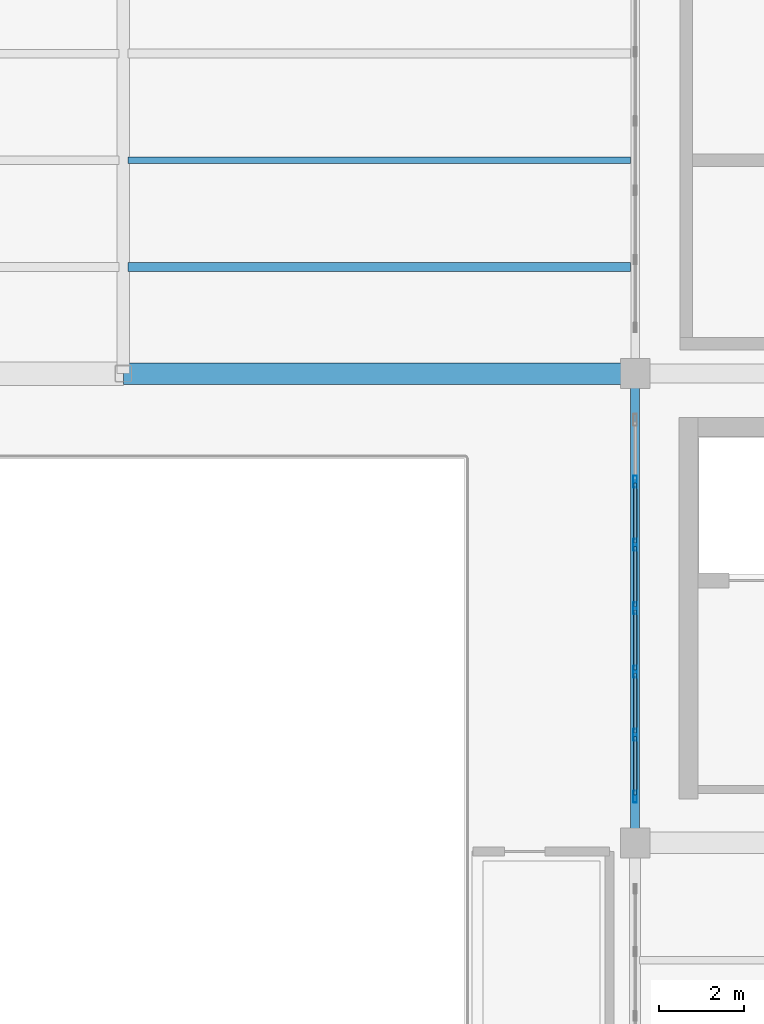
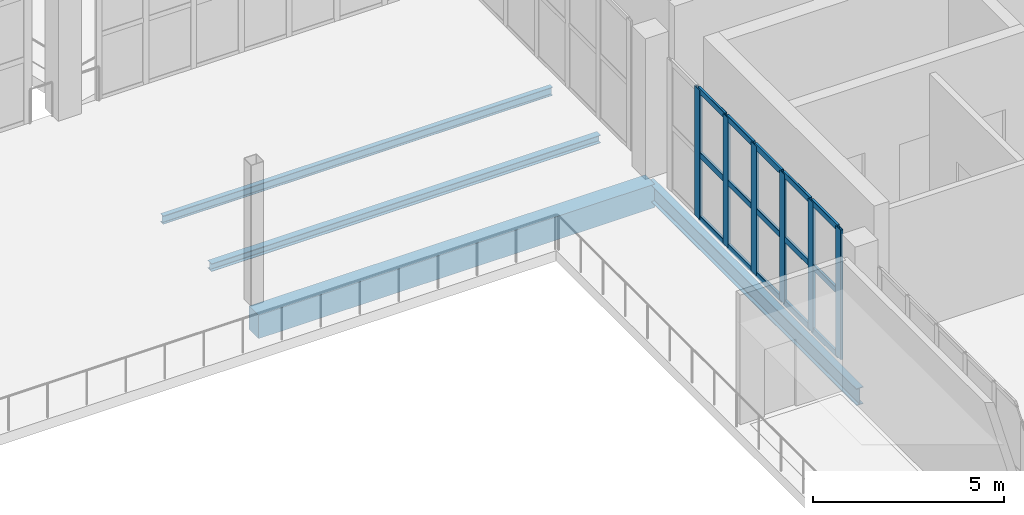
# One storey, part 23 of 108: 21 members, 4 beams, 1 element without a shape of its own.
"""IFC4 building model written with IfcOpenShell, lengths in metres."""

import ifcopenshell
import ifcopenshell.guid

model = None  # the IFC model being written
_history = None  # IfcOwnerHistory: only IFC2X3 demands one
_inside = {}  # id of a spatial element -> (the spatial element, [elements in it])
_under = {}  # id of a project, library or spatial element -> (it, [spatial elements below it])
_declared = {}  # id of a project -> (the project, [libraries it declares])
_typed = {}  # id of a type object -> (the type object, [elements of that type])
_made_of = {}  # id of a material, layer set ... -> (it, [elements and type objects made of it])


def new_model(schema):
    """Start an empty IFC model of exactly this schema.

    Asked for "IFC4X3", IfcOpenShell would pick the latest addendum, in which some entities
    have other attributes; the version numbers below select the first issue.
    IFC2X3 requires an IfcOwnerHistory on every rooted entity: one is made here for all.
    """
    global model, _history
    if schema == "IFC4X3":
        model = ifcopenshell.file(schema_version=(4, 3, 0, 0))
    else:
        model = ifcopenshell.file(schema=schema)
    _inside.clear()
    _under.clear()
    _declared.clear()
    _typed.clear()
    _made_of.clear()
    _history = None
    if model.schema == "IFC2X3":
        org = make("IfcOrganization", Name="unknown")
        user = make(
            "IfcPersonAndOrganization",
            ThePerson=make("IfcPerson", FamilyName="unknown"),
            TheOrganization=org,
        )
        app = make(
            "IfcApplication",
            ApplicationDeveloper=org,
            Version="unknown",
            ApplicationFullName="unknown",
            ApplicationIdentifier="unknown",
        )
        _history = make(
            "IfcOwnerHistory",
            OwningUser=user,
            OwningApplication=app,
            ChangeAction="ADDED",
            CreationDate=0,
        )
    return model


def make(cls, **values):
    """One entity of the class cls with the attributes given. An attribute that is None is left unset."""
    return model.create_entity(
        cls, **{name: value for name, value in values.items() if value is not None}
    )


def rooted(cls, **values):
    """An entity with a GlobalId (a new one), such as an element, a storey or a relation."""
    return make(cls, GlobalId=ifcopenshell.guid.new(), OwnerHistory=_history, **values)


def si_unit(unit_type, name, prefix=None):
    """IfcSIUnit, for example si_unit("LENGTHUNIT", "METRE", prefix="MILLI")."""
    return make("IfcSIUnit", UnitType=unit_type, Prefix=prefix, Name=name)


def assignment(units):
    """IfcUnitAssignment: the units of a project."""
    return None if units is None else make("IfcUnitAssignment", Units=units)


def point(xyz):
    """IfcCartesianPoint."""
    return None if xyz is None else make("IfcCartesianPoint", Coordinates=xyz)


def direction(xyz):
    """IfcDirection."""
    return None if xyz is None else make("IfcDirection", DirectionRatios=xyz)


def frame(location, z_axis=None, x_axis=None):
    """IfcAxis2Placement3D, a coordinate frame: its origin and axes. An axis left out is left unset."""
    return make(
        "IfcAxis2Placement3D",
        Location=point(location),
        Axis=direction(z_axis),
        RefDirection=direction(x_axis),
    )


def frame_2d(location, x_axis=None):
    """IfcAxis2Placement2D, a coordinate frame in the plane: its origin and x axis."""
    return make(
        "IfcAxis2Placement2D", Location=point(location), RefDirection=direction(x_axis)
    )


def origin():
    """The frame at (0, 0, 0) with its axes left unset."""
    return frame((0.0, 0.0, 0.0))


def origin_2d():
    """The frame at (0, 0) in the plane with its x axis left unset."""
    return frame_2d((0.0, 0.0))


def place(relative_to, where):
    """IfcLocalPlacement: puts the frame where relative to a parent placement (None: the world)."""
    return make(
        "IfcLocalPlacement", PlacementRelTo=relative_to, RelativePlacement=where
    )


def context(
    kind, dimensions, precision=None, world=None, true_north=None, identifier=None
):
    """IfcGeometricRepresentationContext, for example the 3D "Model" context."""
    return make(
        "IfcGeometricRepresentationContext",
        ContextIdentifier=identifier,
        ContextType=kind,
        CoordinateSpaceDimension=dimensions,
        Precision=precision,
        WorldCoordinateSystem=world,
        TrueNorth=true_north,
    )


def subcontext(parent, identifier, kind, view, scale=None):
    """IfcGeometricRepresentationSubContext, for example "Body" below "Model"."""
    return make(
        "IfcGeometricRepresentationSubContext",
        ContextIdentifier=identifier,
        ContextType=kind,
        ParentContext=parent,
        TargetScale=scale,
        TargetView=view,
    )


def project(units=None, contexts=None):
    """IfcProject with its units and contexts."""
    return rooted(
        "IfcProject",
        Name="project",
        RepresentationContexts=contexts,
        UnitsInContext=assignment(units),
    )


def spatial(cls, under=None, at=None, **own):
    """A site, building, storey or space (cls), placed at a placement, below another one or the project."""
    s = rooted(cls, ObjectPlacement=at, **own)
    if under is not None:
        _under.setdefault(under.id(), (under, []))[1].append(s)
    return s


def profile(cls, at=None, kind="AREA", **sizes):
    """A parametric profile (cls). Its sizes go by their IFC names, for example OverallWidth=200.0."""
    return make(cls, ProfileType=kind, Position=at, **sizes)


def rectangle(**sizes):
    """IfcRectangleProfileDef."""
    return profile("IfcRectangleProfileDef", **sizes)


def hollow_rectangle(**sizes):
    """IfcRectangleHollowProfileDef."""
    return profile("IfcRectangleHollowProfileDef", **sizes)


def i_section(**sizes):
    """IfcIShapeProfileDef."""
    return profile("IfcIShapeProfileDef", **sizes)


def extrude(swept, where, along, depth):
    """IfcExtrudedAreaSolid: the profile swept, set in the frame where, extruded along a direction by depth."""
    return make(
        "IfcExtrudedAreaSolid",
        SweptArea=swept,
        Position=where,
        ExtrudedDirection=direction(along),
        Depth=depth,
    )


def shape(context_of_items, identifier, shape_type, items):
    """IfcShapeRepresentation: the items that make up one representation, for example the "Body"."""
    return make(
        "IfcShapeRepresentation",
        ContextOfItems=context_of_items,
        RepresentationIdentifier=identifier,
        RepresentationType=shape_type,
        Items=items,
    )


def material(Name=None, Category=None):
    """IfcMaterial."""
    return make("IfcMaterial", Name=Name, Category=Category)


def layer(
    of_material, thickness, ventilated=None, Name=None, Category=None, Priority=None
):
    """IfcMaterialLayer: one layer of a wall or slab, of a material (None: an air gap)."""
    return make(
        "IfcMaterialLayer",
        Material=of_material,
        LayerThickness=thickness,
        IsVentilated=ventilated,
        Name=Name,
        Category=Category,
        Priority=Priority,
    )


def layer_set(layers, Name=None):
    """IfcMaterialLayerSet."""
    return make("IfcMaterialLayerSet", MaterialLayers=layers, LayerSetName=Name)


def material_profile(
    of_material, cross_section, Name=None, Category=None, Priority=None
):
    """IfcMaterialProfile: a cross section and its material."""
    return make(
        "IfcMaterialProfile",
        Name=Name,
        Material=of_material,
        Profile=cross_section,
        Priority=Priority,
        Category=Category,
    )


def profile_set(profiles, Name=None, composite=None):
    """IfcMaterialProfileSet."""
    return make(
        "IfcMaterialProfileSet",
        Name=Name,
        MaterialProfiles=profiles,
        CompositeProfile=composite,
    )


def made_of(thing, what):
    """Note that an element or type object is made of a material, layer set ...; save() writes the relation."""
    if what is not None:
        _made_of.setdefault(what.id(), (what, []))[1].append(thing)
    return thing


def type_object(cls, material=None, **own):
    """A type object (cls), such as IfcWallType, which elements share."""
    return made_of(rooted(cls, **own), material)


def element(
    cls,
    number,
    at=None,
    inside=None,
    cuts=None,
    type_object=None,
    material=None,
    context=None,
    identifier="Body",
    shape_type=None,
    held_by="IfcProductDefinitionShape",
    body=None,
    shapes=None,
    **own,
):
    """One element of the class cls, such as IfcWall. Its Tag is "e" and its number.

    at: its placement. inside: the storey or other place that contains it. cuts: it is an
    opening in that element (IfcRelVoidsElement). A single representation is given by context,
    identifier, shape_type and body (its items); several are given by shapes. held_by: the class
    of the entity that holds the representations. save() writes the other relations.
    """
    e = rooted(cls, Tag="e%d" % number, ObjectPlacement=at, **own)
    if body is not None:
        shapes = [shape(context, identifier, shape_type, body)]
    if shapes is not None:
        e.Representation = make(held_by, Representations=shapes)
    if inside is not None:
        _inside.setdefault(inside.id(), (inside, []))[1].append(e)
    if cuts is not None:
        rooted(
            "IfcRelVoidsElement", RelatingBuildingElement=cuts, RelatedOpeningElement=e
        )
    if type_object is not None:
        _typed.setdefault(type_object.id(), (type_object, []))[1].append(e)
    return made_of(e, material)


def aggregate(whole, parts):
    """IfcRelAggregates: a whole, such as a stair, and the parts it consists of."""
    return rooted("IfcRelAggregates", RelatingObject=whole, RelatedObjects=parts)


def save(model, path):
    """Write the relations noted so far, then the file.

    IfcRelAggregates (storeys below a building ...), IfcRelContainedInSpatialStructure (elements
    in a storey), IfcRelDefinesByType, IfcRelAssociatesMaterial and IfcRelDeclares: one each for
    every whole, place, type object, material and project.
    """
    for whole, parts in _under.values():
        aggregate(whole, parts)
    for where, things in _inside.values():
        rooted(
            "IfcRelContainedInSpatialStructure",
            RelatedElements=things,
            RelatingStructure=where,
        )
    for kind, things in _typed.values():
        rooted("IfcRelDefinesByType", RelatedObjects=things, RelatingType=kind)
    for what, things in _made_of.values():
        rooted("IfcRelAssociatesMaterial", RelatedObjects=things, RelatingMaterial=what)
    for by, libraries in _declared.values():
        rooted("IfcRelDeclares", RelatingContext=by, RelatedDefinitions=libraries)
    model.write(path)


model = new_model("IFC4")

# Units and contexts
model_context = context("Model", 3, precision=1e-05, world=origin(), true_north=direction((0.0, 1.0)))
body_context = subcontext(model_context, "Body", "Model", "MODEL_VIEW")
ifc_project = project(units=[si_unit("LENGTHUNIT", "METRE"), si_unit("AREAUNIT", "SQUARE_METRE"), si_unit("VOLUMEUNIT", "CUBIC_METRE"), si_unit("PLANEANGLEUNIT", "RADIAN"), si_unit("MASSUNIT", "GRAM", prefix="KILO")], contexts=[model_context])

# Site, building, storey
site_placement = place(None, origin())
site = spatial("IfcSite", under=ifc_project, at=site_placement, CompositionType="ELEMENT")
building_placement = place(site_placement, origin())
building = spatial("IfcBuilding", under=site, at=building_placement, Name="Brinegate Civic Arena", CompositionType="ELEMENT")
storey_placement = place(building_placement, frame((0.0, 0.0, 10.199951171875)))
storey = spatial("IfcBuildingStorey", under=building, at=storey_placement, Name="L02", CompositionType="ELEMENT", Elevation=10.199951171875)

# Curtain wall, members
ifc_material_1 = material(Name="Marine grade aluminium", Category="aluminium")
ifc_layer = layer(ifc_material_1, 0.199951171875, Name="Marine grade aluminium")
ifc_layer_set = layer_set([ifc_layer], Name="Marine grade aluminium")
curtain_wall_type = type_object("IfcCurtainWallType", Name="CW-BOWL-GLAZED-01", PredefinedType="USERDEFINED", material=ifc_layer_set)
curtain_wall_placement = place(storey_placement, origin())
curtain_wall = element("IfcCurtainWall", 1, at=curtain_wall_placement, inside=storey, type_object=curtain_wall_type, Name="Curtain Wall CWA-079", ObjectType="GLAZED CURTAIN WALL", PredefinedType="USERDEFINED")
ifc_material_profile_1 = material_profile(ifc_material_1, hollow_rectangle(XDim=0.080078125, YDim=0.280029296875, WallThickness=0.007080078125, InnerFilletRadius=0.0048828125, OuterFilletRadius=0.010009765625, at=origin_2d()), Name="MUL80X280")
ifc_profile_set_1 = profile_set([ifc_material_profile_1], Name="Marine grade aluminium")
member_type_1 = type_object("IfcMemberType", Name="CW-MULLION-80X280", PredefinedType="MULLION", material=ifc_profile_set_1)
member_1_placement = place(storey_placement, frame((48.0, 32.0849609375, 0.0), z_axis=(0.0, 0.0, 1.0), x_axis=(-1.0, 0.0, 0.0)))
member_1 = element("IfcMember", 2, at=member_1_placement, type_object=member_type_1, Name="CWA-079 mullion 1", PredefinedType="MULLION", context=body_context, shape_type="SweptSolid", body=[
    extrude(hollow_rectangle(XDim=0.080078125, YDim=0.280029296875, WallThickness=0.007080078125, InnerFilletRadius=0.0048828125, OuterFilletRadius=0.010009765625, at=origin_2d()), origin(), (0.0, 0.0, 1.0), 4.150146484375),
])
member_2_placement = place(storey_placement, frame((48.0, 33.530029296875, 0.0), z_axis=(0.0, 0.0, 1.0), x_axis=(-1.0, 0.0, 0.0)))
member_2 = element("IfcMember", 3, at=member_2_placement, type_object=member_type_1, Name="CWA-079 mullion 2", PredefinedType="MULLION", context=body_context, shape_type="SweptSolid", body=[
    extrude(hollow_rectangle(XDim=0.080078125, YDim=0.280029296875, WallThickness=0.007080078125, InnerFilletRadius=0.0048828125, OuterFilletRadius=0.010009765625, at=origin_2d()), origin(), (0.0, 0.0, 1.0), 4.150146484375),
])
member_3_placement = place(storey_placement, frame((48.0, 35.014892578125, 0.0), z_axis=(0.0, 0.0, 1.0), x_axis=(-1.0, 0.0, 0.0)))
member_3 = element("IfcMember", 4, at=member_3_placement, type_object=member_type_1, Name="CWA-079 mullion 3", PredefinedType="MULLION", context=body_context, shape_type="SweptSolid", body=[
    extrude(hollow_rectangle(XDim=0.080078125, YDim=0.280029296875, WallThickness=0.007080078125, InnerFilletRadius=0.0048828125, OuterFilletRadius=0.010009765625, at=origin_2d()), origin(), (0.0, 0.0, 1.0), 4.150146484375),
])
member_4_placement = place(storey_placement, frame((48.0, 36.5, 0.0), z_axis=(0.0, 0.0, 1.0), x_axis=(-1.0, 0.0, 0.0)))
member_4 = element("IfcMember", 5, at=member_4_placement, type_object=member_type_1, Name="CWA-079 mullion 4", PredefinedType="MULLION", context=body_context, shape_type="SweptSolid", body=[
    extrude(hollow_rectangle(XDim=0.080078125, YDim=0.280029296875, WallThickness=0.007080078125, InnerFilletRadius=0.0048828125, OuterFilletRadius=0.010009765625, at=origin_2d()), origin(), (0.0, 0.0, 1.0), 4.150146484375),
])
member_5_placement = place(storey_placement, frame((48.0, 37.985107421875, 0.0), z_axis=(0.0, 0.0, 1.0), x_axis=(-1.0, 0.0, 0.0)))
member_5 = element("IfcMember", 6, at=member_5_placement, type_object=member_type_1, Name="CWA-079 mullion 5", PredefinedType="MULLION", context=body_context, shape_type="SweptSolid", body=[
    extrude(hollow_rectangle(XDim=0.080078125, YDim=0.280029296875, WallThickness=0.007080078125, InnerFilletRadius=0.0048828125, OuterFilletRadius=0.010009765625, at=origin_2d()), origin(), (0.0, 0.0, 1.0), 4.150146484375),
])
member_6_placement = place(storey_placement, frame((48.0, 39.469970703125, 0.0), z_axis=(0.0, 0.0, 1.0), x_axis=(-1.0, 0.0, 0.0)))
member_6 = element("IfcMember", 7, at=member_6_placement, type_object=member_type_1, Name="CWA-079 mullion 6", PredefinedType="MULLION", context=body_context, shape_type="SweptSolid", body=[
    extrude(hollow_rectangle(XDim=0.080078125, YDim=0.280029296875, WallThickness=0.007080078125, InnerFilletRadius=0.0048828125, OuterFilletRadius=0.010009765625, at=origin_2d()), origin(), (0.0, 0.0, 1.0), 4.150146484375),
])
ifc_material_profile_2 = material_profile(ifc_material_1, hollow_rectangle(XDim=0.074951171875, YDim=0.18994140625, WallThickness=0.006103515625, InnerFilletRadius=0.00390625, OuterFilletRadius=0.008056640625, at=origin_2d()), Name="TRN75X190")
ifc_profile_set_2 = profile_set([ifc_material_profile_2], Name="Marine grade aluminium")
member_type_2 = type_object("IfcMemberType", Name="CW-TRANSOM-75X190", PredefinedType="USERDEFINED", material=ifc_profile_set_2)
member_7_placement = place(storey_placement, frame((48.0, 32.125, 0.03759765625), z_axis=(0.0, 1.0, 0.0), x_axis=(-1.0, 0.0, 0.0)))
member_7 = element("IfcMember", 8, at=member_7_placement, type_object=member_type_2, Name="CWA-079 transom 1.1", ObjectType="TRANSOM", PredefinedType="USERDEFINED", context=body_context, shape_type="SweptSolid", body=[
    extrude(hollow_rectangle(XDim=0.074951171875, YDim=0.18994140625, WallThickness=0.006103515625, InnerFilletRadius=0.00390625, OuterFilletRadius=0.008056640625, at=origin_2d()), origin(), (0.0, 0.0, 1.0), 1.364990234375),
])
member_8_placement = place(storey_placement, frame((48.0, 32.125, 2.074951171875), z_axis=(0.0, 1.0, 0.0), x_axis=(-1.0, 0.0, 0.0)))
member_8 = element("IfcMember", 9, at=member_8_placement, type_object=member_type_2, Name="CWA-079 transom 1.2", ObjectType="TRANSOM", PredefinedType="USERDEFINED", context=body_context, shape_type="SweptSolid", body=[
    extrude(hollow_rectangle(XDim=0.074951171875, YDim=0.18994140625, WallThickness=0.006103515625, InnerFilletRadius=0.00390625, OuterFilletRadius=0.008056640625, at=origin_2d()), origin(), (0.0, 0.0, 1.0), 1.364990234375),
])
member_9_placement = place(storey_placement, frame((48.0, 32.125, 4.112548828125), z_axis=(0.0, 1.0, 0.0), x_axis=(-1.0, 0.0, 0.0)))
member_9 = element("IfcMember", 10, at=member_9_placement, type_object=member_type_2, Name="CWA-079 transom 1.3", ObjectType="TRANSOM", PredefinedType="USERDEFINED", context=body_context, shape_type="SweptSolid", body=[
    extrude(hollow_rectangle(XDim=0.074951171875, YDim=0.18994140625, WallThickness=0.006103515625, InnerFilletRadius=0.00390625, OuterFilletRadius=0.008056640625, at=origin_2d()), origin(), (0.0, 0.0, 1.0), 1.364990234375),
])
member_10_placement = place(storey_placement, frame((48.0, 33.570068359375, 0.03759765625), z_axis=(0.0, 1.0, 0.0), x_axis=(-1.0, 0.0, 0.0)))
member_10 = element("IfcMember", 11, at=member_10_placement, type_object=member_type_2, Name="CWA-079 transom 2.1", ObjectType="TRANSOM", PredefinedType="USERDEFINED", context=body_context, shape_type="SweptSolid", body=[
    extrude(hollow_rectangle(XDim=0.074951171875, YDim=0.18994140625, WallThickness=0.006103515625, InnerFilletRadius=0.00390625, OuterFilletRadius=0.008056640625, at=origin_2d()), origin(), (0.0, 0.0, 1.0), 1.405029296875),
])
member_11_placement = place(storey_placement, frame((48.0, 33.570068359375, 2.074951171875), z_axis=(0.0, 1.0, 0.0), x_axis=(-1.0, 0.0, 0.0)))
member_11 = element("IfcMember", 12, at=member_11_placement, type_object=member_type_2, Name="CWA-079 transom 2.2", ObjectType="TRANSOM", PredefinedType="USERDEFINED", context=body_context, shape_type="SweptSolid", body=[
    extrude(hollow_rectangle(XDim=0.074951171875, YDim=0.18994140625, WallThickness=0.006103515625, InnerFilletRadius=0.00390625, OuterFilletRadius=0.008056640625, at=origin_2d()), origin(), (0.0, 0.0, 1.0), 1.405029296875),
])
member_12_placement = place(storey_placement, frame((48.0, 33.570068359375, 4.112548828125), z_axis=(0.0, 1.0, 0.0), x_axis=(-1.0, 0.0, 0.0)))
member_12 = element("IfcMember", 13, at=member_12_placement, type_object=member_type_2, Name="CWA-079 transom 2.3", ObjectType="TRANSOM", PredefinedType="USERDEFINED", context=body_context, shape_type="SweptSolid", body=[
    extrude(hollow_rectangle(XDim=0.074951171875, YDim=0.18994140625, WallThickness=0.006103515625, InnerFilletRadius=0.00390625, OuterFilletRadius=0.008056640625, at=origin_2d()), origin(), (0.0, 0.0, 1.0), 1.405029296875),
])
member_13_placement = place(storey_placement, frame((48.0, 35.054931640625, 0.03759765625), z_axis=(0.0, 1.0, 0.0), x_axis=(-1.0, 0.0, 0.0)))
member_13 = element("IfcMember", 14, at=member_13_placement, type_object=member_type_2, Name="CWA-079 transom 3.1", ObjectType="TRANSOM", PredefinedType="USERDEFINED", context=body_context, shape_type="SweptSolid", body=[
    extrude(hollow_rectangle(XDim=0.074951171875, YDim=0.18994140625, WallThickness=0.006103515625, InnerFilletRadius=0.00390625, OuterFilletRadius=0.008056640625, at=origin_2d()), origin(), (0.0, 0.0, 1.0), 1.405029296875),
])
member_14_placement = place(storey_placement, frame((48.0, 35.054931640625, 2.074951171875), z_axis=(0.0, 1.0, 0.0), x_axis=(-1.0, 0.0, 0.0)))
member_14 = element("IfcMember", 15, at=member_14_placement, type_object=member_type_2, Name="CWA-079 transom 3.2", ObjectType="TRANSOM", PredefinedType="USERDEFINED", context=body_context, shape_type="SweptSolid", body=[
    extrude(hollow_rectangle(XDim=0.074951171875, YDim=0.18994140625, WallThickness=0.006103515625, InnerFilletRadius=0.00390625, OuterFilletRadius=0.008056640625, at=origin_2d()), origin(), (0.0, 0.0, 1.0), 1.405029296875),
])
member_15_placement = place(storey_placement, frame((48.0, 35.054931640625, 4.112548828125), z_axis=(0.0, 1.0, 0.0), x_axis=(-1.0, 0.0, 0.0)))
member_15 = element("IfcMember", 16, at=member_15_placement, type_object=member_type_2, Name="CWA-079 transom 3.3", ObjectType="TRANSOM", PredefinedType="USERDEFINED", context=body_context, shape_type="SweptSolid", body=[
    extrude(hollow_rectangle(XDim=0.074951171875, YDim=0.18994140625, WallThickness=0.006103515625, InnerFilletRadius=0.00390625, OuterFilletRadius=0.008056640625, at=origin_2d()), origin(), (0.0, 0.0, 1.0), 1.405029296875),
])
member_16_placement = place(storey_placement, frame((48.0, 36.5400390625, 0.03759765625), z_axis=(0.0, 1.0, 0.0), x_axis=(-1.0, 0.0, 0.0)))
member_16 = element("IfcMember", 17, at=member_16_placement, type_object=member_type_2, Name="CWA-079 transom 4.1", ObjectType="TRANSOM", PredefinedType="USERDEFINED", context=body_context, shape_type="SweptSolid", body=[
    extrude(hollow_rectangle(XDim=0.074951171875, YDim=0.18994140625, WallThickness=0.006103515625, InnerFilletRadius=0.00390625, OuterFilletRadius=0.008056640625, at=origin_2d()), origin(), (0.0, 0.0, 1.0), 1.405029296875),
])
member_17_placement = place(storey_placement, frame((48.0, 36.5400390625, 2.074951171875), z_axis=(0.0, 1.0, 0.0), x_axis=(-1.0, 0.0, 0.0)))
member_17 = element("IfcMember", 18, at=member_17_placement, type_object=member_type_2, Name="CWA-079 transom 4.2", ObjectType="TRANSOM", PredefinedType="USERDEFINED", context=body_context, shape_type="SweptSolid", body=[
    extrude(hollow_rectangle(XDim=0.074951171875, YDim=0.18994140625, WallThickness=0.006103515625, InnerFilletRadius=0.00390625, OuterFilletRadius=0.008056640625, at=origin_2d()), origin(), (0.0, 0.0, 1.0), 1.405029296875),
])
member_18_placement = place(storey_placement, frame((48.0, 36.5400390625, 4.112548828125), z_axis=(0.0, 1.0, 0.0), x_axis=(-1.0, 0.0, 0.0)))
member_18 = element("IfcMember", 19, at=member_18_placement, type_object=member_type_2, Name="CWA-079 transom 4.3", ObjectType="TRANSOM", PredefinedType="USERDEFINED", context=body_context, shape_type="SweptSolid", body=[
    extrude(hollow_rectangle(XDim=0.074951171875, YDim=0.18994140625, WallThickness=0.006103515625, InnerFilletRadius=0.00390625, OuterFilletRadius=0.008056640625, at=origin_2d()), origin(), (0.0, 0.0, 1.0), 1.405029296875),
])
member_19_placement = place(storey_placement, frame((48.0, 38.02490234375, 0.03759765625), z_axis=(0.0, 1.0, 0.0), x_axis=(-1.0, 0.0, 0.0)))
member_19 = element("IfcMember", 20, at=member_19_placement, type_object=member_type_2, Name="CWA-079 transom 5.1", ObjectType="TRANSOM", PredefinedType="USERDEFINED", context=body_context, shape_type="SweptSolid", body=[
    extrude(hollow_rectangle(XDim=0.074951171875, YDim=0.18994140625, WallThickness=0.006103515625, InnerFilletRadius=0.00390625, OuterFilletRadius=0.008056640625, at=origin_2d()), origin(), (0.0, 0.0, 1.0), 1.405029296875),
])
member_20_placement = place(storey_placement, frame((48.0, 38.02490234375, 2.074951171875), z_axis=(0.0, 1.0, 0.0), x_axis=(-1.0, 0.0, 0.0)))
member_20 = element("IfcMember", 21, at=member_20_placement, type_object=member_type_2, Name="CWA-079 transom 5.2", ObjectType="TRANSOM", PredefinedType="USERDEFINED", context=body_context, shape_type="SweptSolid", body=[
    extrude(hollow_rectangle(XDim=0.074951171875, YDim=0.18994140625, WallThickness=0.006103515625, InnerFilletRadius=0.00390625, OuterFilletRadius=0.008056640625, at=origin_2d()), origin(), (0.0, 0.0, 1.0), 1.405029296875),
])
member_21_placement = place(storey_placement, frame((48.0, 38.02490234375, 4.112548828125), z_axis=(0.0, 1.0, 0.0), x_axis=(-1.0, 0.0, 0.0)))
member_21 = element("IfcMember", 22, at=member_21_placement, type_object=member_type_2, Name="CWA-079 transom 5.3", ObjectType="TRANSOM", PredefinedType="USERDEFINED", context=body_context, shape_type="SweptSolid", body=[
    extrude(hollow_rectangle(XDim=0.074951171875, YDim=0.18994140625, WallThickness=0.006103515625, InnerFilletRadius=0.00390625, OuterFilletRadius=0.008056640625, at=origin_2d()), origin(), (0.0, 0.0, 1.0), 1.405029296875),
])
aggregate(curtain_wall, [member_1, member_2, member_3, member_4, member_5, member_6, member_7, member_8, member_9, member_10, member_11, member_12, member_13, member_14, member_15, member_16, member_17, member_18, member_19, member_20, member_21])

# Beams
ifc_material_2 = material(Name="Steel S355", Category="steel")
ifc_material_profile_3 = material_profile(ifc_material_2, i_section(OverallWidth=0.14794921875, OverallDepth=0.26611328125, WebThickness=0.008056640625, FlangeThickness=0.012939453125, FilletRadius=0.011962890625, at=origin_2d()), Name="W250X45")
ifc_profile_set_3 = profile_set([ifc_material_profile_3], Name="Steel S355")
beam_type_1 = type_object("IfcBeamType", Name="JOIST-W250X45", PredefinedType="JOIST", material=ifc_profile_set_3)
beam_1_placement = place(storey_placement, frame((36.10595703125, 47.0, -0.462890625), z_axis=(1.0, 0.0, 0.0), x_axis=(0.0, 1.0, 0.0)))
element("IfcBeam", 23, at=beam_1_placement, inside=storey, type_object=beam_type_1, Name="Secondary Joist BM-L02-JX-03-04-2", PredefinedType="JOIST", context=body_context, shape_type="SweptSolid", body=[
    extrude(i_section(OverallWidth=0.14794921875, OverallDepth=0.26611328125, WebThickness=0.008056640625, FlangeThickness=0.012939453125, FilletRadius=0.011962890625, at=origin_2d()), origin(), (0.0, 0.0, 1.0), 11.7880859375),
])
ifc_material_profile_4 = material_profile(ifc_material_2, i_section(OverallWidth=0.202880859375, OverallDepth=0.251953125, WebThickness=0.008056640625, FlangeThickness=0.013916015625, FilletRadius=0.011962890625, at=origin_2d()), Name="W250X58")
ifc_profile_set_4 = profile_set([ifc_material_profile_4], Name="Steel S355")
beam_type_2 = type_object("IfcBeamType", Name="JOIST-W250X58", PredefinedType="JOIST", material=ifc_profile_set_4)
beam_2_placement = place(storey_placement, frame((36.10595703125, 44.5, -0.4560546875), z_axis=(1.0, 0.0, 0.0), x_axis=(0.0, 1.0, 0.0)))
element("IfcBeam", 24, at=beam_2_placement, inside=storey, type_object=beam_type_2, Name="Secondary Joist BM-L02-JX-03-04-1", PredefinedType="JOIST", context=body_context, shape_type="SweptSolid", body=[
    extrude(i_section(OverallWidth=0.202880859375, OverallDepth=0.251953125, WebThickness=0.008056640625, FlangeThickness=0.013916015625, FilletRadius=0.011962890625, at=origin_2d()), origin(), (0.0, 0.0, 1.0), 11.7880859375),
])
ifc_material_3 = material(Name="Concrete C50/60", Category="concrete")
ifc_material_profile_5 = material_profile(ifc_material_3, rectangle(XDim=0.5, YDim=0.75, at=origin_2d()), Name="RCB500X750")
ifc_profile_set_5 = profile_set([ifc_material_profile_5], Name="Concrete C50/60")
beam_type_3 = type_object("IfcBeamType", Name="RCG-500X750", PredefinedType="BEAM", material=ifc_profile_set_5)
beam_3_placement = place(storey_placement, frame((36.0, 42.0, -0.704833984375), z_axis=(1.0, 0.0, 0.0), x_axis=(0.0, 1.0, 0.0)))
element("IfcBeam", 25, at=beam_3_placement, inside=storey, type_object=beam_type_3, Name="Floor Girder BM-L02-GX-03-04", PredefinedType="BEAM", context=body_context, shape_type="SweptSolid", body=[
    extrude(rectangle(XDim=0.5, YDim=0.75, at=origin_2d()), origin(), (0.0, 0.0, 1.0), 12.0),
])
ifc_material_profile_6 = material_profile(ifc_material_2, i_section(OverallWidth=0.2119140625, OverallDepth=0.5439453125, WebThickness=0.012939453125, FlangeThickness=0.02099609375, FilletRadius=0.01611328125, at=origin_2d()), Name="W530X123")
ifc_profile_set_6 = profile_set([ifc_material_profile_6], Name="Steel S355")
beam_type_4 = type_object("IfcBeamType", Name="SPANDREL-W530X123", PredefinedType="SPANDREL", material=ifc_profile_set_6)
beam_4_placement = place(storey_placement, frame((48.0, 31.0, -0.60205078125), z_axis=(0.0, 1.0, 0.0), x_axis=(-1.0, 0.0, 0.0)))
element("IfcBeam", 26, at=beam_4_placement, inside=storey, type_object=beam_type_4, Name="Floor Girder BM-L02-GY-04-03", PredefinedType="SPANDREL", context=body_context, shape_type="SweptSolid", body=[
    extrude(i_section(OverallWidth=0.2119140625, OverallDepth=0.5439453125, WebThickness=0.012939453125, FlangeThickness=0.02099609375, FilletRadius=0.01611328125, at=origin_2d()), origin(), (0.0, 0.0, 1.0), 11.0),
])

save(model, "model.ifc")
